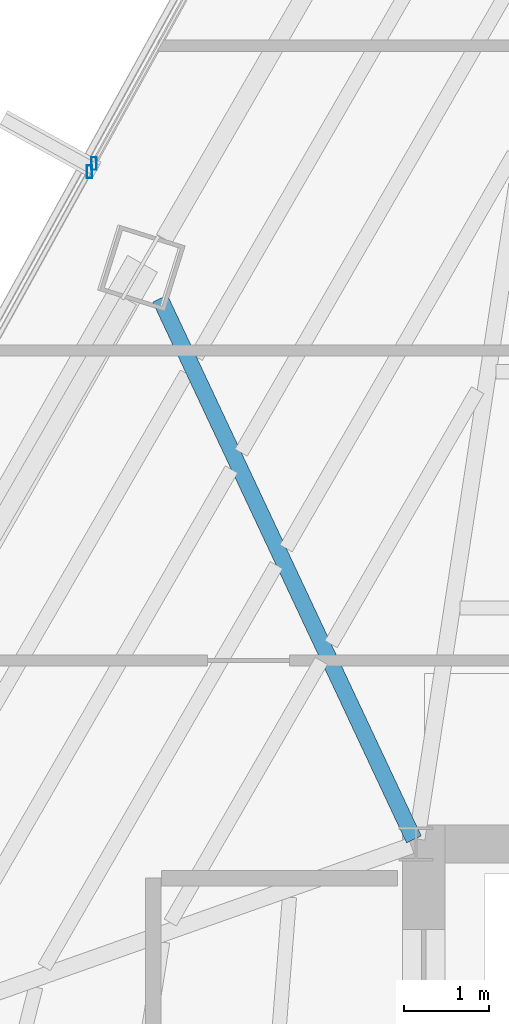
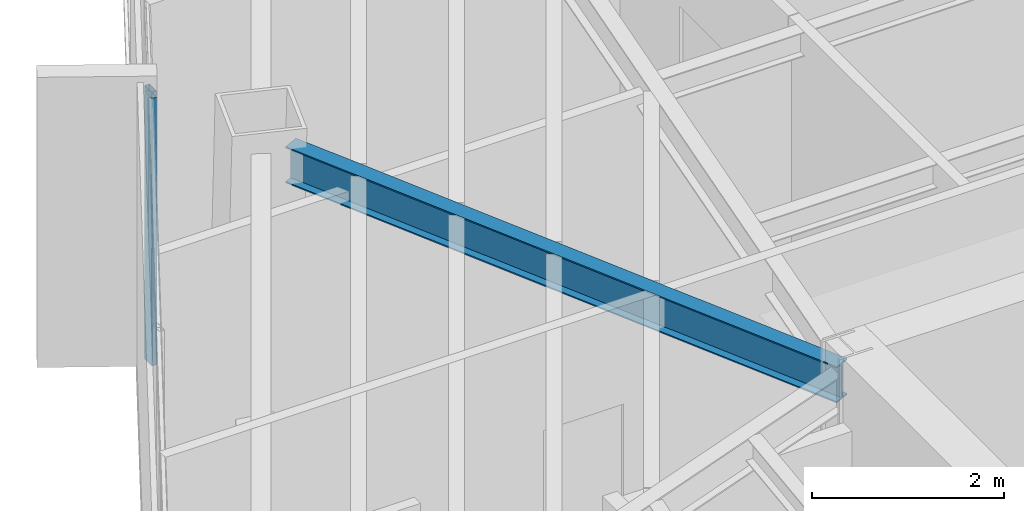
# One storey, part 16 of 42: 2 members, 1 beam, 2 elements without a shape of their own.
"""IFC4 building model written with IfcOpenShell, lengths in metres."""

from ifc_helpers import new_model, si_unit, direction, frame, origin, origin_2d, place, context, subcontext, project, spatial, hollow_rectangle, i_section, extrude, source, transform, mapped, material, material_profile, profile_set, type_object, type_shapes, element, aggregate, save


model = new_model("IFC4")

# Units and contexts
model_context = context("Model", 3, precision=1e-05, world=origin(), true_north=direction((0.0, 1.0)))
body_context = subcontext(model_context, "Body", "Model", "MODEL_VIEW")
ifc_project = project(units=[si_unit("LENGTHUNIT", "METRE"), si_unit("AREAUNIT", "SQUARE_METRE"), si_unit("VOLUMEUNIT", "CUBIC_METRE"), si_unit("PLANEANGLEUNIT", "RADIAN"), si_unit("MASSUNIT", "GRAM", prefix="KILO")], contexts=[model_context])

# Site, building, storey
site_placement = place(None, origin())
site = spatial("IfcSite", under=ifc_project, at=site_placement, CompositionType="ELEMENT")
building_placement = place(site_placement, origin())
building = spatial("IfcBuilding", under=site, at=building_placement, Name="Caelisora Broadcast Tower", CompositionType="ELEMENT")
storey_placement = place(building_placement, frame((0.0, 0.0, 205.949951171875)))
storey = spatial("IfcBuildingStorey", under=building, at=storey_placement, Name="L54", CompositionType="ELEMENT", Elevation=205.949951171875)

# Beam
ifc_material_1 = material(Name="Steel Grade 350 (AS/NZS 3679.1)", Category="steel")
ifc_material_profile_1 = material_profile(ifc_material_1, i_section(OverallWidth=0.19091796875, OverallDepth=0.46044921875, WebThickness=0.010009765625, FlangeThickness=0.01611328125, at=origin_2d()), Name="Steel Grade 350 (AS/NZS 3679.1)")
ifc_profile_set_1 = profile_set([ifc_material_profile_1], Name="Steel Grade 350 (AS/NZS 3679.1)")
beam_type = type_object("IfcBeamType", Name="PG06", PredefinedType="BEAM", material=ifc_profile_set_1)
shared_shape_1 = source(origin(), body_context, "Body", "SweptSolid", [
    extrude(i_section(OverallWidth=0.19091796875, OverallDepth=0.46044921875, WebThickness=0.010009765625, FlangeThickness=0.01611328125, at=origin_2d()), origin(), (0.0, 0.0, 1.0), 6.99755859375),
])
type_shapes(beam_type, [shared_shape_1])
beam_placement = place(storey_placement, frame((30.474609375, 30.05419921875, 3.169921875), z_axis=(-0.42491472211, 0.905233383683, 0.0), x_axis=(-0.905233383683, -0.42491472211, 0.0)))
element("IfcBeam", 1, at=beam_placement, inside=storey, type_object=beam_type, Name="L54 beam PG06", PredefinedType="BEAM", context=body_context, shape_type="MappedRepresentation", body=[
    mapped(shared_shape_1, transform((0.0, 0.0, 0.0), scale=1.0)),
])

# Curtain wall, member
ifc_material_2 = material(Name="Unitised Aluminium Insulated Shadow-Box Spandrel Curtain Wall", Category="aluminium")
curtain_wall_type_1 = type_object("IfcCurtainWallType", Name="CW-SP2", PredefinedType="NOTDEFINED", material=ifc_material_2)
curtain_wall_1_placement = place(storey_placement, origin())
curtain_wall_1 = element("IfcCurtainWall", 2, at=curtain_wall_1_placement, inside=storey, type_object=curtain_wall_type_1, Name="L54 curtain wall CW-SP2", PredefinedType="NOTDEFINED")
ifc_material_3 = material(Name="Aluminium 6063-T6 Anodised Terracotta Bronze", Category="aluminium")
ifc_material_profile_2 = material_profile(ifc_material_3, hollow_rectangle(XDim=0.06005859375, YDim=0.14990234375, WallThickness=0.00341796875, at=origin_2d()), Name="Aluminium 6063-T6 Anodised Terracotta Bronze")
ifc_profile_set_2 = profile_set([ifc_material_profile_2], Name="Aluminium 6063-T6 Anodised Terracotta Bronze")
member_type = type_object("IfcMemberType", Name="CWM-03", PredefinedType="MULLION", material=ifc_profile_set_2)
shared_shape_2 = source(origin(), body_context, "Body", "SweptSolid", [
    extrude(hollow_rectangle(XDim=0.06005859375, YDim=0.14990234375, WallThickness=0.00341796875, at=origin_2d()), origin(), (0.0, 0.0, 1.0), 3.400146484375),
])
type_shapes(member_type, [shared_shape_2])
member_1_placement = place(storey_placement, frame((26.67431640625, 37.8740234375, 0.0), z_axis=(0.0, 0.0, 1.0), x_axis=(1.0, 0.0, 0.0)))
member_1 = element("IfcMember", 3, at=member_1_placement, type_object=member_type, Name="L54-CW-B10 mullion #3", PredefinedType="MULLION", context=body_context, shape_type="MappedRepresentation", body=[
    mapped(shared_shape_2, transform((0.0, 0.0, 0.0), scale=1.0)),
])
aggregate(curtain_wall_1, [member_1])

ifc_material_4 = material(Name="Unitised Aluminium and Low-E Glass Curtain Wall", Category="glass")
curtain_wall_type_2 = type_object("IfcCurtainWallType", Name="CW-Z4", PredefinedType="NOTDEFINED", material=ifc_material_4)
curtain_wall_2_placement = place(storey_placement, origin())
curtain_wall_2 = element("IfcCurtainWall", 4, at=curtain_wall_2_placement, inside=storey, type_object=curtain_wall_type_2, Name="L54 curtain wall CW-Z4", PredefinedType="NOTDEFINED")
member_2_placement = place(storey_placement, frame((26.727294921875, 37.97021484375, 0.0), z_axis=(0.0, 0.0, 1.0), x_axis=(1.0, 0.0, 0.0)))
member_2 = element("IfcMember", 5, at=member_2_placement, type_object=member_type, Name="L54-CW-B11 mullion #0", PredefinedType="MULLION", context=body_context, shape_type="MappedRepresentation", body=[
    mapped(shared_shape_2, transform((0.0, 0.0, 0.0), scale=1.0)),
])
aggregate(curtain_wall_2, [member_2])

save(model, "model.ifc")
